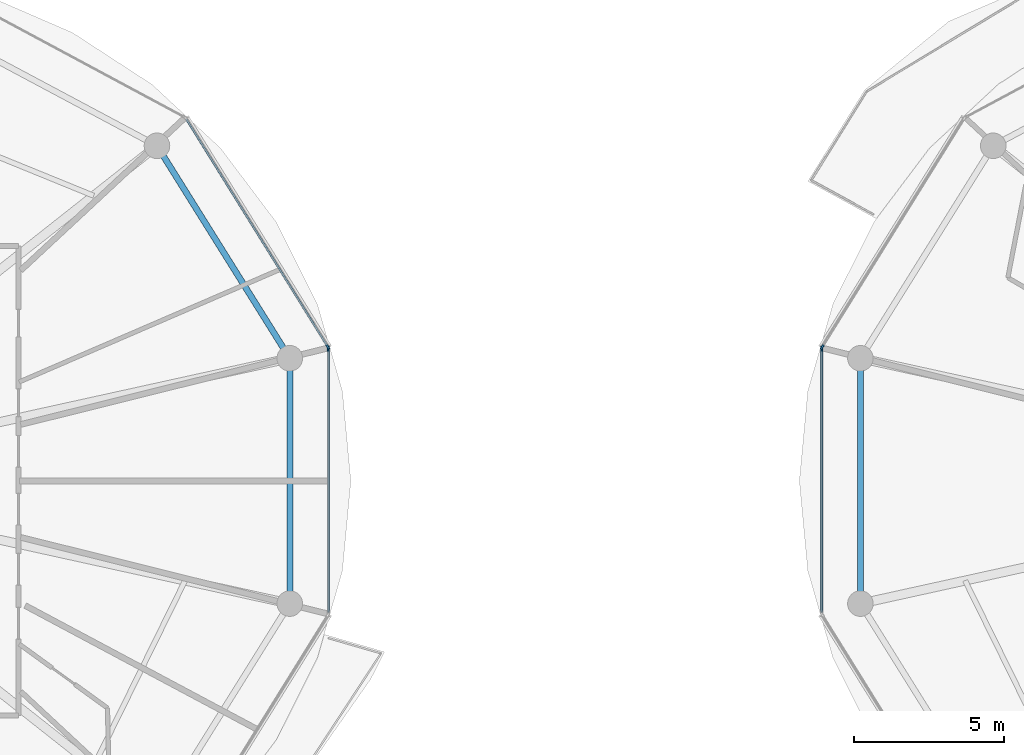
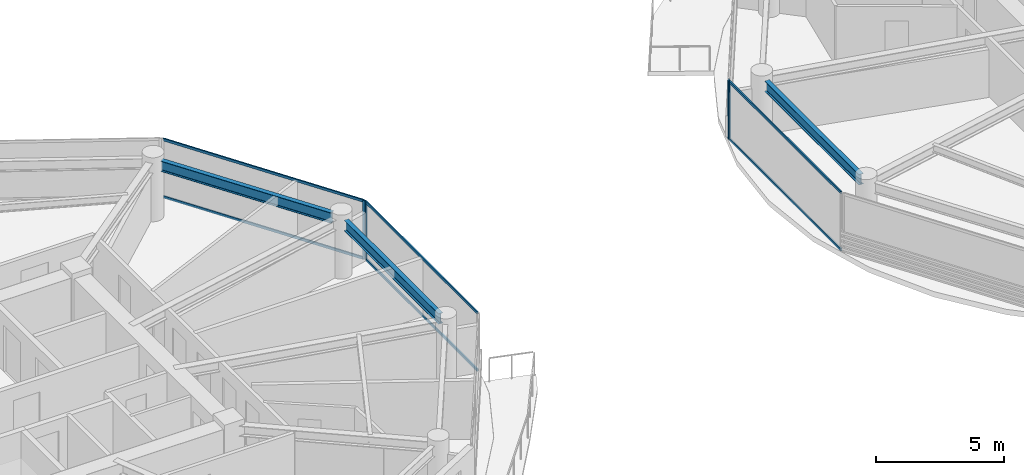
# One storey, part 7 of 24: 10 members, 3 beams, 4 elements without a shape of their own.
"""IFC4 building model written with IfcOpenShell, lengths in metres."""

from ifc_helpers import new_model, si_unit, direction, frame, origin, origin_2d, place, context, subcontext, project, spatial, rectangle, i_section, extrude, source, transform, mapped, material, layer, layer_set, material_profile, profile_set, type_object, type_shapes, element, aggregate, save


model = new_model("IFC4")

# Units and contexts
model_context = context("Model", 3, precision=1e-05, world=origin(), true_north=direction((0.0, 1.0)))
body_context = subcontext(model_context, "Body", "Model", "MODEL_VIEW")
ifc_project = project(units=[si_unit("LENGTHUNIT", "METRE"), si_unit("AREAUNIT", "SQUARE_METRE"), si_unit("VOLUMEUNIT", "CUBIC_METRE"), si_unit("PLANEANGLEUNIT", "RADIAN"), si_unit("MASSUNIT", "GRAM", prefix="KILO")], contexts=[model_context])

# Site, building, storey
site_placement = place(None, origin())
site = spatial("IfcSite", under=ifc_project, at=site_placement, CompositionType="ELEMENT")
building_placement = place(site_placement, origin())
building = spatial("IfcBuilding", under=site, at=building_placement, Name="Norrkilde Senior Care Towers", CompositionType="ELEMENT")
storey_placement = place(building_placement, frame((0.0, 0.0, 111.5)))
storey = spatial("IfcBuildingStorey", under=building, at=storey_placement, Name="L34", CompositionType="ELEMENT", Elevation=111.5)

# Beams
ifc_material_1 = material(Name="Steel S355", Category="steel")
ifc_material_profile_1 = material_profile(ifc_material_1, i_section(OverallWidth=0.199951171875, OverallDepth=0.5, WebThickness=0.01025390625, FlangeThickness=0.01611328125, FilletRadius=0.02099609375, at=origin_2d()), Name="IPE 500")
ifc_profile_set_1 = profile_set([ifc_material_profile_1], Name="Steel S355")
beam_type = type_object("IfcBeamType", Name="Perimeter Ring Spandrel Z2 IPE500", PredefinedType="SPANDREL", material=ifc_profile_set_1)
shared_shape_1 = source(origin(), body_context, "Body", "SweptSolid", [
    extrude(i_section(OverallWidth=0.199951171875, OverallDepth=0.5, WebThickness=0.01025390625, FlangeThickness=0.01611328125, FilletRadius=0.02099609375, at=origin_2d()), origin(), (0.0, 0.0, 1.0), 7.55615234375),
])
beam_placement = place(storey_placement, frame((-9.68505859375, 4.40283203125, 2.5400390625), z_axis=(-0.529981514254, 0.848009194849, 0.0), x_axis=(-0.848009194849, -0.529981514254, 0.0)))
element("IfcBeam", 1, at=beam_placement, inside=storey, type_object=beam_type, Name="L34 Drum W Perimeter Spandrel 01", PredefinedType="SPANDREL", context=body_context, shape_type="MappedRepresentation", body=[
    mapped(shared_shape_1, transform((0.0, 0.0, 0.0), x_axis=(1.0, 0.0, 0.0), y_axis=(0.0, 1.0, 0.0), z_axis=(0.0, 0.0, 1.0), scale=1.0)),
])
shared_shape_2 = source(origin(), body_context, "Body", "SweptSolid", [
    extrude(i_section(OverallWidth=0.199951171875, OverallDepth=0.5, WebThickness=0.01025390625, FlangeThickness=0.01611328125, FilletRadius=0.02099609375, at=origin_2d()), origin(), (0.0, 0.0, 1.0), 7.3828125),
])
type_shapes(beam_type, [shared_shape_1, shared_shape_2])
for number, where, z_axis, x_axis, name in (
    (2, (-9.48095703125, -3.69140625, 2.5400390625), (0.0, 1.0, 0.0), (-1.0, 0.0, 0.0), "L34 Drum W Perimeter Spandrel 12"),
    (3, (9.48095703125, 3.69140625, 2.5400390625), (0.0, -1.0, 0.0), (1.0, 0.0, 0.0), "L34 Drum E Perimeter Spandrel 06"),
):
    element("IfcBeam", number, at=place(storey_placement, frame(where, z_axis=z_axis, x_axis=x_axis)), inside=storey, type_object=beam_type, Name=name, PredefinedType="SPANDREL", context=body_context, shape_type="MappedRepresentation", body=[
        mapped(shared_shape_2, transform((0.0, 0.0, 0.0), x_axis=(1.0, 0.0, 0.0), y_axis=(0.0, 1.0, 0.0), z_axis=(0.0, 0.0, 1.0), scale=1.0)),
    ])

# Curtain wall, member
ifc_material_2 = material(Name="Triple Low-E Insulated Glazing", Category="glass")
ifc_layer = layer(ifc_material_2, 0.195068359375)
ifc_layer_set = layer_set([ifc_layer], Name="Triple Low-E Insulated Glazing")
curtain_wall_type = type_object("IfcCurtainWallType", Name="CW3 Zone 2 Assisted Living Curtain Wall", PredefinedType="NOTDEFINED", material=ifc_layer_set)
curtain_wall_1_placement = place(storey_placement, origin())
curtain_wall_1 = element("IfcCurtainWall", 4, at=curtain_wall_1_placement, inside=storey, type_object=curtain_wall_type, Name="L34 Drum W Curtain Wall 00", PredefinedType="NOTDEFINED")
ifc_material_3 = material(Name="Anodised Aluminium", Category="aluminium")
ifc_material_profile_2 = material_profile(ifc_material_3, rectangle(XDim=0.06494140625, YDim=0.159912109375, at=origin_2d()), Name="ALU MULL 65x160")
ifc_profile_set_2 = profile_set([ifc_material_profile_2], Name="Anodised Aluminium")
member_type_1 = type_object("IfcMemberType", Name="Curtain Wall Mullion Z1-Z2 65x160", PredefinedType="MULLION", material=ifc_profile_set_2)
shared_shape_3 = source(origin(), body_context, "Body", "SweptSolid", [
    extrude(rectangle(XDim=0.06494140625, YDim=0.159912109375, at=origin_2d()), origin(), (0.0, 0.0, 1.0), 2.7900390625),
])
type_shapes(member_type_1, [shared_shape_3])
member_1_placement = place(storey_placement, frame((-8.21337890625, 4.4482421875, 0.0), z_axis=(0.0, 0.0, 1.0), x_axis=(0.849410171862, 0.527733228002, 0.0)))
member_1 = element("IfcMember", 5, at=member_1_placement, type_object=member_type_1, Name="CW-3 mullion 2", PredefinedType="MULLION", context=body_context, shape_type="MappedRepresentation", body=[
    mapped(shared_shape_3, transform((0.0, 0.0, 0.0), x_axis=(1.0, 0.0, 0.0), y_axis=(0.0, 1.0, 0.0), z_axis=(0.0, 0.0, 1.0), scale=1.0)),
])

curtain_wall_2_placement = place(storey_placement, origin())
curtain_wall_2 = element("IfcCurtainWall", 6, at=curtain_wall_2_placement, inside=storey, type_object=curtain_wall_type, Name="L34 Drum W Curtain Wall 11", PredefinedType="NOTDEFINED")
member_2_placement = place(storey_placement, frame((-8.1962890625, 4.38818359375, 0.0), z_axis=(0.0, 0.0, 1.0), x_axis=(1.0, 0.0, 0.0)))
member_2 = element("IfcMember", 7, at=member_2_placement, type_object=member_type_1, Name="CW-3 mullion 1", PredefinedType="MULLION", context=body_context, shape_type="MappedRepresentation", body=[
    mapped(shared_shape_3, transform((0.0, 0.0, 0.0), x_axis=(1.0, 0.0, 0.0), y_axis=(0.0, 1.0, 0.0), z_axis=(0.0, 0.0, 1.0), scale=1.0)),
])

curtain_wall_3_placement = place(storey_placement, origin())
curtain_wall_3 = element("IfcCurtainWall", 8, at=curtain_wall_3_placement, inside=storey, type_object=curtain_wall_type, Name="L34 Drum E Curtain Wall 04", PredefinedType="NOTDEFINED")
member_3_placement = place(storey_placement, frame((8.21337890625, 4.4482421875, 0.0), z_axis=(0.0, 0.0, 1.0), x_axis=(-0.849410171862, 0.527733228002, 0.0)))
member_3 = element("IfcMember", 9, at=member_3_placement, type_object=member_type_1, Name="CW-3 mullion 1", PredefinedType="MULLION", context=body_context, shape_type="MappedRepresentation", body=[
    mapped(shared_shape_3, transform((0.0, 0.0, 0.0), x_axis=(1.0, 0.0, 0.0), y_axis=(0.0, 1.0, 0.0), z_axis=(0.0, 0.0, 1.0), scale=1.0)),
])
aggregate(curtain_wall_3, [member_3])

curtain_wall_4_placement = place(storey_placement, origin())
curtain_wall_4 = element("IfcCurtainWall", 10, at=curtain_wall_4_placement, inside=storey, type_object=curtain_wall_type, Name="L34 Drum E Curtain Wall 05", PredefinedType="NOTDEFINED")
member_4_placement = place(storey_placement, frame((8.1962890625, 4.38818359375, 0.0), z_axis=(0.0, 0.0, 1.0), x_axis=(-1.0, 0.0, 0.0)))
member_4 = element("IfcMember", 11, at=member_4_placement, type_object=member_type_1, Name="CW-3 mullion 2", PredefinedType="MULLION", context=body_context, shape_type="MappedRepresentation", body=[
    mapped(shared_shape_3, transform((0.0, 0.0, 0.0), x_axis=(1.0, 0.0, 0.0), y_axis=(0.0, 1.0, 0.0), z_axis=(0.0, 0.0, 1.0), scale=1.0)),
])

# Member
ifc_material_profile_3 = material_profile(ifc_material_3, rectangle(XDim=0.06005859375, YDim=0.1201171875, at=origin_2d()), Name="ALU TRAN 60x120")
ifc_profile_set_3 = profile_set([ifc_material_profile_3], Name="Anodised Aluminium")
member_type_2 = type_object("IfcMemberType", Name="Curtain Wall Transom Typical 60x120", PredefinedType="USERDEFINED", material=ifc_profile_set_3)
shared_shape_4 = source(origin(), body_context, "Body", "SweptSolid", [
    extrude(rectangle(XDim=0.06005859375, YDim=0.1201171875, at=origin_2d()), origin(), (0.0, 0.0, 1.0), 8.88427734375),
])
member_5_placement = place(storey_placement, frame((-12.919189453125, 12.022216796875, 0.030029296875), z_axis=(0.527749293309, -0.849400190377, 0.0), x_axis=(0.849400190377, 0.527749293309, 0.0)))
member_5 = element("IfcMember", 12, at=member_5_placement, type_object=member_type_2, Name="CW-3 transom 1.1", ObjectType="TRANSOM", PredefinedType="USERDEFINED", context=body_context, shape_type="MappedRepresentation", body=[
    mapped(shared_shape_4, transform((0.0, 0.0, 0.0), x_axis=(1.0, 0.0, 0.0), y_axis=(0.0, 1.0, 0.0), z_axis=(0.0, 0.0, 1.0), scale=1.0)),
])

member_6_placement = place(storey_placement, frame((-12.919189453125, 12.022216796875, 2.760009765625), z_axis=(0.527749293309, -0.849400190377, 0.0), x_axis=(0.849400190377, 0.527749293309, 0.0)))
member_6 = element("IfcMember", 13, at=member_6_placement, type_object=member_type_2, Name="CW-3 transom 1.2", ObjectType="TRANSOM", PredefinedType="USERDEFINED", context=body_context, shape_type="MappedRepresentation", body=[
    mapped(shared_shape_4, transform((0.0, 0.0, 0.0), x_axis=(1.0, 0.0, 0.0), y_axis=(0.0, 1.0, 0.0), z_axis=(0.0, 0.0, 1.0), scale=1.0)),
])

aggregate(curtain_wall_1, [member_1, member_5, member_6])

shared_shape_5 = source(origin(), body_context, "Body", "SweptSolid", [
    extrude(rectangle(XDim=0.06005859375, YDim=0.1201171875, at=origin_2d()), origin(), (0.0, 0.0, 1.0), 8.71142578125),
])
type_shapes(member_type_2, [shared_shape_4, shared_shape_5])
member_7_placement = place(storey_placement, frame((-8.1962890625, 4.355712890625, 0.030029296875), z_axis=(0.0, -1.0, 0.0), x_axis=(1.0, 0.0, 0.0)))
member_7 = element("IfcMember", 14, at=member_7_placement, type_object=member_type_2, Name="CW-3 transom 1.1", ObjectType="TRANSOM", PredefinedType="USERDEFINED", context=body_context, shape_type="MappedRepresentation", body=[
    mapped(shared_shape_5, transform((0.0, 0.0, 0.0), x_axis=(1.0, 0.0, 0.0), y_axis=(0.0, 1.0, 0.0), z_axis=(0.0, 0.0, 1.0), scale=1.0)),
])

member_8_placement = place(storey_placement, frame((-8.1962890625, 4.355712890625, 2.760009765625), z_axis=(0.0, -1.0, 0.0), x_axis=(1.0, 0.0, 0.0)))
member_8 = element("IfcMember", 15, at=member_8_placement, type_object=member_type_2, Name="CW-3 transom 1.2", ObjectType="TRANSOM", PredefinedType="USERDEFINED", context=body_context, shape_type="MappedRepresentation", body=[
    mapped(shared_shape_5, transform((0.0, 0.0, 0.0), x_axis=(1.0, 0.0, 0.0), y_axis=(0.0, 1.0, 0.0), z_axis=(0.0, 0.0, 1.0), scale=1.0)),
])

aggregate(curtain_wall_2, [member_2, member_7, member_8])

member_9_placement = place(storey_placement, frame((8.1962890625, -4.355712890625, 0.030029296875), z_axis=(0.0, 1.0, 0.0), x_axis=(-1.0, 0.0, 0.0)))
member_9 = element("IfcMember", 16, at=member_9_placement, type_object=member_type_2, Name="CW-3 transom 1.1", ObjectType="TRANSOM", PredefinedType="USERDEFINED", context=body_context, shape_type="MappedRepresentation", body=[
    mapped(shared_shape_5, transform((0.0, 0.0, 0.0), x_axis=(1.0, 0.0, 0.0), y_axis=(0.0, 1.0, 0.0), z_axis=(0.0, 0.0, 1.0), scale=1.0)),
])

member_10_placement = place(storey_placement, frame((8.1962890625, -4.355712890625, 2.760009765625), z_axis=(0.0, 1.0, 0.0), x_axis=(-1.0, 0.0, 0.0)))
member_10 = element("IfcMember", 17, at=member_10_placement, type_object=member_type_2, Name="CW-3 transom 1.2", ObjectType="TRANSOM", PredefinedType="USERDEFINED", context=body_context, shape_type="MappedRepresentation", body=[
    mapped(shared_shape_5, transform((0.0, 0.0, 0.0), x_axis=(1.0, 0.0, 0.0), y_axis=(0.0, 1.0, 0.0), z_axis=(0.0, 0.0, 1.0), scale=1.0)),
])

aggregate(curtain_wall_4, [member_4, member_9, member_10])

save(model, "model.ifc")
